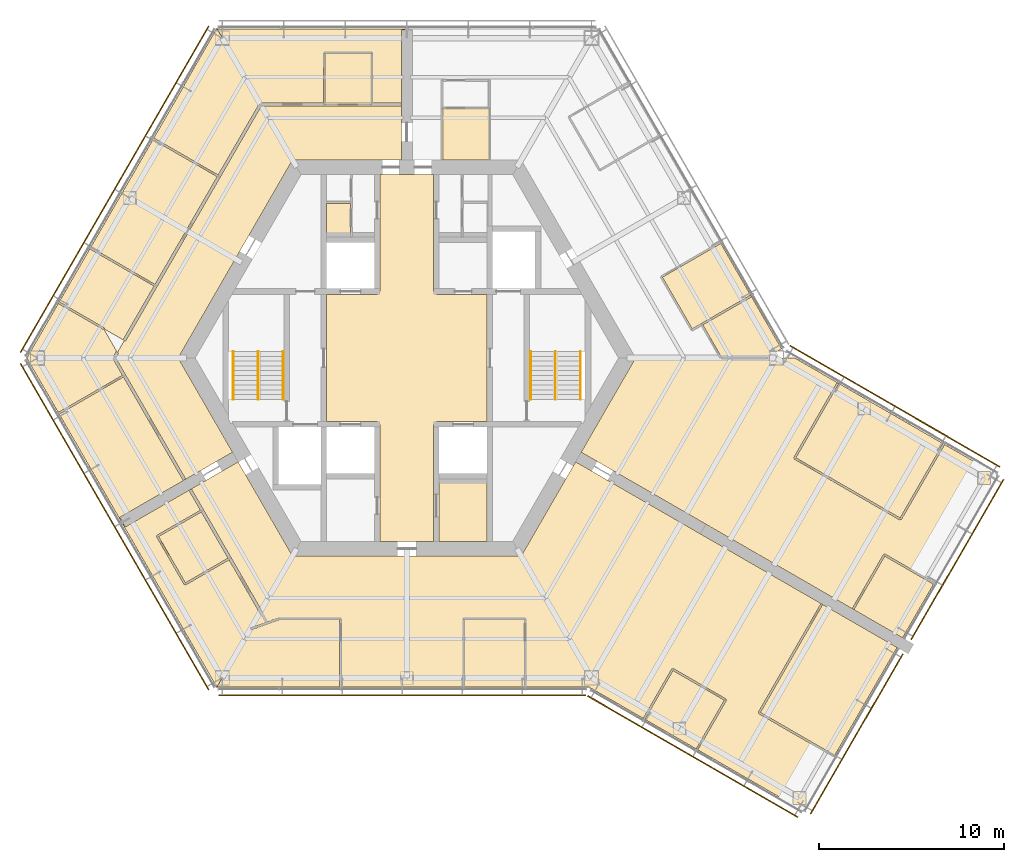
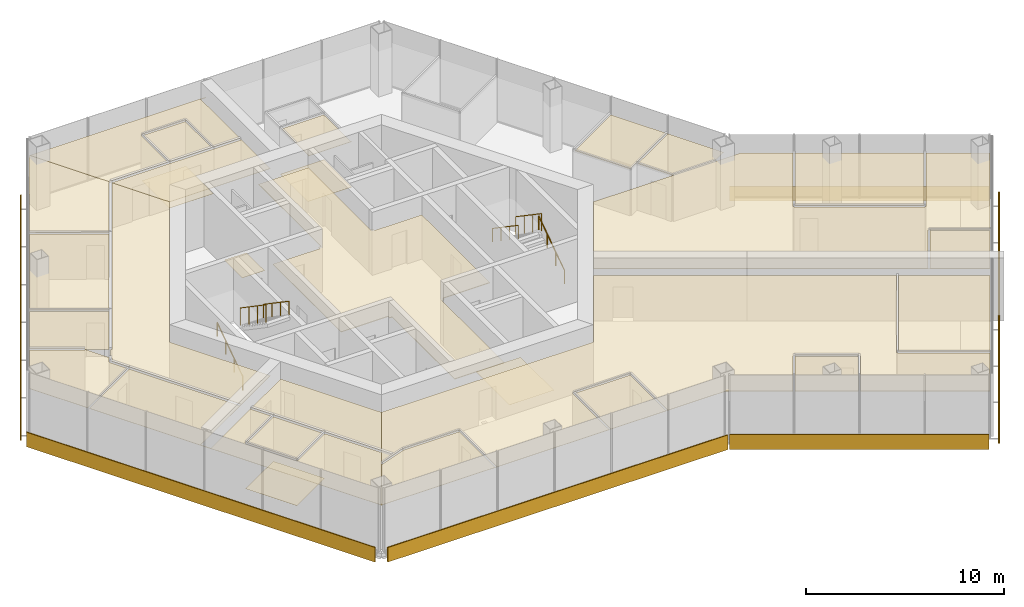
# One storey, part 15 of 16: 29 coverings, 7 shading devices, 6 railings.
"""IFC4 building model written with IfcOpenShell, lengths in metres."""

from ifc_helpers import new_model, si_unit, direction, frame, origin, origin_2d, place, context, subcontext, project, spatial, polyline, rectangle, circle, outline, extrude, material, layer, layer_set, type_object, element, save


model = new_model("IFC4")

# Units and contexts
model_context = context("Model", 3, precision=1e-05, world=origin(), true_north=direction((0.0, 1.0)))
body_context = subcontext(model_context, "Body", "Model", "MODEL_VIEW")
ifc_project = project(units=[si_unit("LENGTHUNIT", "METRE"), si_unit("AREAUNIT", "SQUARE_METRE"), si_unit("VOLUMEUNIT", "CUBIC_METRE"), si_unit("PLANEANGLEUNIT", "RADIAN"), si_unit("MASSUNIT", "GRAM", prefix="KILO")], contexts=[model_context])

# Site, building, storey
site_placement = place(None, origin())
site = spatial("IfcSite", under=ifc_project, at=site_placement, CompositionType="ELEMENT")
building_placement = place(site_placement, origin())
building = spatial("IfcBuilding", under=site, at=building_placement, Name="Kasaneha Research Tower", CompositionType="ELEMENT")
storey_placement = place(building_placement, frame((0.0, 0.0, 247.89990234375)))
storey = spatial("IfcBuildingStorey", under=building, at=storey_placement, Name="L62", CompositionType="ELEMENT", Elevation=247.89990234375)

# Covering
ifc_material_1 = material(Name="Aluminium panel ceiling", Category="aluminium")
ifc_layer_1 = layer(ifc_material_1, 0.0400390625)
ifc_layer_set_1 = layer_set([ifc_layer_1], Name="Lift lobby ceiling 40")
covering_type_1 = type_object("IfcCoveringType", Name="Lift lobby ceiling 40", PredefinedType="CEILING", material=ifc_layer_set_1)
covering_1_placement = place(storey_placement, frame((0.0, 0.0, 2.7001953125)))
element("IfcCovering", 1, at=covering_1_placement, inside=storey, type_object=covering_type_1, Name="Ceiling L62-01", PredefinedType="CEILING", context=body_context, shape_type="SweptSolid", body=[
    extrude(outline(polyline([(1.449951171875, 9.925048828125), (1.449951171875, 3.60009765625), (1.60009765625, 3.60009765625), (1.60009765625, 3.449951171875), (4.35009765625, 3.449951171875), (4.35009765625, -3.449951171875), (1.60009765625, -3.449951171875), (1.60009765625, -3.60009765625), (1.449951171875, -3.60009765625), (1.449951171875, -9.925048828125), (-1.449951171875, -9.925048828125), (-1.449951171875, -3.60009765625), (-1.60009765625, -3.60009765625), (-1.60009765625, -3.449951171875), (-4.35009765625, -3.449951171875), (-4.35009765625, 3.449951171875), (-1.60009765625, 3.449951171875), (-1.60009765625, 3.60009765625), (-1.449951171875, 3.60009765625), (-1.449951171875, 9.925048828125), (1.449951171875, 9.925048828125)])), origin(), (0.0, 0.0, 1.0), 0.039794921875),
])

# Railings
ifc_material_2 = material(Name="Steel", Category="steel")
railing_type_1 = type_object("IfcRailingType", Name="Stair balustrade 1100", PredefinedType="GUARDRAIL", material=ifc_material_2)
for number, where, name in (
    (2, (8.050048828125, 0.35009765625, 2.12744140625), "Stair 1 balustrade L62"),
    (3, (-8.050048828125, 0.35009765625, 2.12744140625), "Stair 2 balustrade L62"),
):
    element("IfcRailing", number, at=place(storey_placement, frame(where)), inside=storey, type_object=railing_type_1, Name=name, PredefinedType="GUARDRAIL", context=body_context, shape_type="SweptSolid", body=[
        extrude(circle(Radius=0.02392578125, at=origin_2d()), frame((0.0, 0.0, 1.076171875), z_axis=(0.0, -0.826240473404, 0.563317565952), x_axis=(1.0, 0.0, 0.0)), (0.0, 0.0, 1.0), 3.14697265625),
        extrude(circle(Radius=0.02099609375, at=origin_2d()), origin(), (0.0, 0.0, 1.0), 1.052001953125),
        extrude(circle(Radius=0.02099609375, at=origin_2d()), frame((0.0, -0.86669921875, 0.5908203125)), (0.0, 0.0, 1.0), 1.052001953125),
        extrude(circle(Radius=0.02099609375, at=origin_2d()), frame((0.0, -1.7333984375, 1.181884765625)), (0.0, 0.0, 1.0), 1.052001953125),
        extrude(circle(Radius=0.02099609375, at=origin_2d()), frame((0.0, -2.60009765625, 1.772705078125)), (0.0, 0.0, 1.0), 1.052001953125),
    ])
ifc_material_3 = material(Name="Steel", Category="steel")
railing_type_2 = type_object("IfcRailingType", Name="Stair handrail 850", PredefinedType="HANDRAIL", material=ifc_material_3)
railing_1_placement = place(storey_placement, frame((9.39990234375, -2.25, 0.177490234375)))
element("IfcRailing", 4, at=railing_1_placement, inside=storey, type_object=railing_type_2, Name="Stair 1 handrail L62", PredefinedType="HANDRAIL", context=body_context, shape_type="SweptSolid", body=[
    extrude(circle(Radius=0.02392578125, at=origin_2d()), frame((0.0, 0.0, 0.826171875), z_axis=(0.0, 0.826240473404, 0.563317565952), x_axis=(-1.0, 0.0, 0.0)), (0.0, 0.0, 1.0), 3.14697265625),
    extrude(circle(Radius=0.02099609375, at=origin_2d()), origin(), (0.0, 0.0, 1.0), 0.802001953125),
    extrude(circle(Radius=0.02099609375, at=origin_2d()), frame((0.0, 0.86669921875, 0.5908203125)), (0.0, 0.0, 1.0), 0.802001953125),
    extrude(circle(Radius=0.02099609375, at=origin_2d()), frame((0.0, 1.7333984375, 1.181884765625)), (0.0, 0.0, 1.0), 0.802001953125),
    extrude(circle(Radius=0.02099609375, at=origin_2d()), frame((0.0, 2.60009765625, 1.772705078125)), (0.0, 0.0, 1.0), 0.802001953125),
])
railing_2_placement = place(storey_placement, frame((6.699951171875, 0.35009765625, 2.12744140625)))
element("IfcRailing", 5, at=railing_2_placement, inside=storey, type_object=railing_type_2, Name="Stair 1 handrail L62", PredefinedType="HANDRAIL", context=body_context, shape_type="SweptSolid", body=[
    extrude(circle(Radius=0.02392578125, at=origin_2d()), frame((0.0, 0.0, 0.826171875), z_axis=(0.0, -0.826240473404, 0.563317565952), x_axis=(1.0, 0.0, 0.0)), (0.0, 0.0, 1.0), 3.14697265625),
    extrude(circle(Radius=0.02099609375, at=origin_2d()), origin(), (0.0, 0.0, 1.0), 0.802001953125),
    extrude(circle(Radius=0.02099609375, at=origin_2d()), frame((0.0, -0.86669921875, 0.5908203125)), (0.0, 0.0, 1.0), 0.802001953125),
    extrude(circle(Radius=0.02099609375, at=origin_2d()), frame((0.0, -1.7333984375, 1.181884765625)), (0.0, 0.0, 1.0), 0.802001953125),
    extrude(circle(Radius=0.02099609375, at=origin_2d()), frame((0.0, -2.60009765625, 1.772705078125)), (0.0, 0.0, 1.0), 0.802001953125),
])
railing_3_placement = place(storey_placement, frame((-9.39990234375, -2.25, 0.177490234375)))
element("IfcRailing", 6, at=railing_3_placement, inside=storey, type_object=railing_type_2, Name="Stair 2 handrail L62", PredefinedType="HANDRAIL", context=body_context, shape_type="SweptSolid", body=[
    extrude(circle(Radius=0.02392578125, at=origin_2d()), frame((0.0, 0.0, 0.826171875), z_axis=(0.0, 0.826240473404, 0.563317565952), x_axis=(-1.0, 0.0, 0.0)), (0.0, 0.0, 1.0), 3.14697265625),
    extrude(circle(Radius=0.02099609375, at=origin_2d()), origin(), (0.0, 0.0, 1.0), 0.802001953125),
    extrude(circle(Radius=0.02099609375, at=origin_2d()), frame((0.0, 0.86669921875, 0.5908203125)), (0.0, 0.0, 1.0), 0.802001953125),
    extrude(circle(Radius=0.02099609375, at=origin_2d()), frame((0.0, 1.7333984375, 1.181884765625)), (0.0, 0.0, 1.0), 0.802001953125),
    extrude(circle(Radius=0.02099609375, at=origin_2d()), frame((0.0, 2.60009765625, 1.772705078125)), (0.0, 0.0, 1.0), 0.802001953125),
])
railing_4_placement = place(storey_placement, frame((-6.699951171875, 0.35009765625, 2.12744140625)))
element("IfcRailing", 7, at=railing_4_placement, inside=storey, type_object=railing_type_2, Name="Stair 2 handrail L62", PredefinedType="HANDRAIL", context=body_context, shape_type="SweptSolid", body=[
    extrude(circle(Radius=0.02392578125, at=origin_2d()), frame((0.0, 0.0, 0.826171875), z_axis=(0.0, -0.826240473404, 0.563317565952), x_axis=(1.0, 0.0, 0.0)), (0.0, 0.0, 1.0), 3.14697265625),
    extrude(circle(Radius=0.02099609375, at=origin_2d()), origin(), (0.0, 0.0, 1.0), 0.802001953125),
    extrude(circle(Radius=0.02099609375, at=origin_2d()), frame((0.0, -0.86669921875, 0.5908203125)), (0.0, 0.0, 1.0), 0.802001953125),
    extrude(circle(Radius=0.02099609375, at=origin_2d()), frame((0.0, -1.7333984375, 1.181884765625)), (0.0, 0.0, 1.0), 0.802001953125),
    extrude(circle(Radius=0.02099609375, at=origin_2d()), frame((0.0, -2.60009765625, 1.772705078125)), (0.0, 0.0, 1.0), 0.802001953125),
])

# Coverings
ifc_material_4 = material(Name="Gypsum ceiling board", Category="gypsum")
ifc_layer_2 = layer(ifc_material_4, 0.02001953125)
ifc_layer_set_2 = layer_set([ifc_layer_2], Name="Suspended ceiling 20")
covering_type_2 = type_object("IfcCoveringType", Name="Suspended ceiling 20", PredefinedType="CEILING", material=ifc_layer_set_2)
covering_2_placement = place(storey_placement, frame((0.0, 0.0, 2.800048828125)))
element("IfcCovering", 8, at=covering_2_placement, inside=storey, type_object=covering_type_2, Name="Ceiling L62-26", PredefinedType="CEILING", context=body_context, shape_type="SweptSolid", body=[
    extrude(outline(polyline([(1.89990234375, 10.72509765625), (1.89990234375, 10.7451171875), (1.949951171875, 10.744873046875), (1.95458984375, 13.469970703125), (4.410400390625, 13.469970703125), (4.4150390625, 10.744873046875), (4.465087890625, 10.7451171875), (4.465087890625, 10.72509765625), (1.89990234375, 10.72509765625)])), origin(), (0.0, 0.0, 1.0), 0.02001953125),
])
covering_3_placement = place(storey_placement, frame((0.0, 0.0, 2.800048828125)))
element("IfcCovering", 9, at=covering_3_placement, inside=storey, type_object=covering_type_2, Name="Ceiling L62-28", PredefinedType="CEILING", context=body_context, shape_type="SweptSolid", body=[
    extrude(outline(polyline([(18.63720703125, 3.360595703125), (18.619873046875, 3.3505859375), (18.5947265625, 3.393798828125), (15.923095703125, 1.851318359375), (15.923095703125, 1.851318359375), (15.451171875, 1.578857421875), (13.835693359375, 4.376953125), (16.99658203125, 6.201904296875), (18.63720703125, 3.360595703125)])), origin(), (0.0, 0.0, 1.0), 0.02001953125),
])
covering_4_placement = place(storey_placement, frame((0.0, 0.0, 2.800048828125)))
element("IfcCovering", 10, at=covering_4_placement, inside=storey, type_object=covering_type_2, Name="Ceiling L62-30", PredefinedType="CEILING", context=body_context, shape_type="SweptSolid", body=[
    extrude(outline(polyline([(16.997802734375, 0.0), (16.986328125, 0.02001953125), (17.029541015625, 0.044921875), (16.024658203125, 1.79443359375), (18.644775390625, 3.30712890625), (18.619873046875, 3.3505859375), (18.63720703125, 3.360595703125), (20.28759765625, 0.501708984375), (19.41845703125, 0.0), (16.997802734375, 0.0)])), origin(), (0.0, 0.0, 1.0), 0.02001953125),
])
covering_5_placement = place(storey_placement, frame((0.0, 0.0, 2.800048828125)))
element("IfcCovering", 11, at=covering_5_placement, inside=storey, type_object=covering_type_2, Name="Ceiling L62-32", PredefinedType="CEILING", context=body_context, shape_type="SweptSolid", body=[
    extrude(outline(polyline([(-0.300048828125, 11.72509765625), (-0.300048828125, 10.72509765625), (-6.192138671875, 10.72509765625), (-7.880859375, 13.64990234375), (-4.469970703125, 13.64990234375), (-4.46044921875, 13.64990234375), (-1.904541015625, 13.64990234375), (-1.89501953125, 13.64990234375), (-0.320068359375, 13.64990234375), (-0.320068359375, 13.72509765625), (-0.300048828125, 13.72509765625), (-0.300048828125, 12.72509765625), (-0.300048828125, 11.72509765625)])), origin(), (0.0, 0.0, 1.0), 0.02001953125),
])
covering_6_placement = place(storey_placement, frame((0.0, 0.0, 2.800048828125)))
element("IfcCovering", 12, at=covering_6_placement, inside=storey, type_object=covering_type_2, Name="Ceiling L62-33", PredefinedType="CEILING", context=body_context, shape_type="SweptSolid", body=[
    extrude(outline(polyline([(-1.9501953125, 16.47509765625), (-1.954345703125, 13.800048828125), (-4.41064453125, 13.800048828125), (-4.4150390625, 16.47509765625), (-1.9501953125, 16.47509765625)])), origin(), (0.0, 0.0, 1.0), 0.02001953125),
])
covering_7_placement = place(storey_placement, frame((0.0, 0.0, 2.800048828125)))
element("IfcCovering", 13, at=covering_7_placement, inside=storey, type_object=covering_type_2, Name="Ceiling L62-34", PredefinedType="CEILING", context=body_context, shape_type="SweptSolid", body=[
    extrude(outline(polyline([(-0.320068359375, 13.7255859375), (-0.320068359375, 13.800048828125), (-1.8544921875, 13.800048828125), (-1.85009765625, 16.52490234375), (-1.899658203125, 16.52490234375), (-1.899658203125, 16.525390625), (-1.89990234375, 16.525390625), (-1.89990234375, 16.574951171875), (-4.465087890625, 16.574951171875), (-4.465087890625, 16.525390625), (-4.465087890625, 16.52490234375), (-4.514892578125, 16.52490234375), (-4.510498046875, 13.800048828125), (-7.90087890625, 13.800048828125), (-7.90087890625, 13.725341796875), (-7.92431640625, 13.725341796875), (-10.28857421875, 17.820556640625), (0.0, 17.820556640625), (0.0, 17.7705078125), (-0.300048828125, 17.7705078125), (-0.300048828125, 17.7705078125), (-0.300048828125, 13.7255859375), (-0.320068359375, 13.7255859375)])), origin(), (0.0, 0.0, 1.0), 0.02001953125),
])
covering_8_placement = place(storey_placement, frame((0.0, 0.0, 2.800048828125)))
element("IfcCovering", 14, at=covering_8_placement, inside=storey, type_object=covering_type_2, Name="Ceiling L62-35", PredefinedType="CEILING", context=body_context, shape_type="SweptSolid", body=[
    extrude(outline(polyline([(-12.38427734375, 0.0), (-9.438232421875, -5.102783203125), (-10.30419921875, -5.602783203125), (-10.30419921875, -5.602783203125), (-11.170166015625, -6.102783203125), (-11.170166015625, -6.102783203125), (-12.0361328125, -6.602783203125), (-12.046142578125, -6.58544921875), (-11.981201171875, -6.5478515625), (-15.239013671875, -0.905517578125), (-15.239013671875, -0.905517578125), (-15.76171875, 0.0), (-15.607177734375, 0.267578125), (-15.672119140625, 0.304931640625), (-15.30419921875, 0.9423828125), (-15.2392578125, 0.90478515625), (-13.5263671875, 3.871337890625), (-13.526611328125, 3.871337890625), (-10.111328125, 9.786865234375), (-10.111328125, 9.786865234375), (-7.880859375, 13.64990234375), (-7.880859375, 13.64990234375), (-6.192138671875, 10.72509765625), (-12.38427734375, 0.0)])), origin(), (0.0, 0.0, 1.0), 0.02001953125),
])
covering_9_placement = place(storey_placement, frame((0.0, 0.0, 2.800048828125)))
element("IfcCovering", 15, at=covering_9_placement, inside=storey, type_object=covering_type_2, Name="Ceiling L62-36", PredefinedType="CEILING", context=body_context, shape_type="SweptSolid", body=[
    extrude(outline(polyline([(-12.027587890625, 14.83251953125), (-10.299072265625, 17.826416015625), (-10.291748046875, 17.83203125), (-10.282470703125, 17.830810546875), (-7.912353515625, 13.725830078125), (-7.917236328125, 13.714111328125), (-7.924560546875, 13.725341796875), (-7.93603515625, 13.705322265625), (-8.000732421875, 13.742431640625), (-10.21630859375, 9.905029296875), (-13.7001953125, 11.911376953125), (-12.023193359375, 14.816162109375), (-12.029052734375, 14.82373046875), (-12.027587890625, 14.83251953125)])), origin(), (0.0, 0.0, 1.0), 0.02001953125),
])
covering_10_placement = place(storey_placement, frame((0.0, 0.0, 2.800048828125)))
element("IfcCovering", 16, at=covering_10_placement, inside=storey, type_object=covering_type_2, Name="Ceiling L62-37", PredefinedType="CEILING", context=body_context, shape_type="SweptSolid", body=[
    extrude(outline(polyline([(-17.12353515625, 5.9423828125), (-17.1484375, 5.899169921875), (-13.68603515625, 3.89501953125), (-15.36669921875, 0.984130859375), (-16.413330078125, 1.58837890625), (-16.38818359375, 1.6318359375), (-18.823486328125, 3.037841796875), (-17.140869140625, 5.952392578125), (-17.12353515625, 5.9423828125)])), origin(), (0.0, 0.0, 1.0), 0.02001953125),
])
covering_11_placement = place(storey_placement, frame((0.0, 0.0, 2.800048828125)))
element("IfcCovering", 17, at=covering_11_placement, inside=storey, type_object=covering_type_2, Name="Ceiling L62-38", PredefinedType="CEILING", context=body_context, shape_type="SweptSolid", body=[
    extrude(outline(polyline([(-20.577880859375, 0.0), (-18.873779296875, 2.951171875), (-16.438232421875, 1.545166015625), (-16.416015625, 1.58349609375), (-15.680908203125, 0.31005859375), (-15.737060546875, 0.342529296875), (-15.913330078125, 0.03759765625), (-15.848388671875, 0.0), (-15.913330078125, -0.03759765625), (-15.393798828125, -0.937255859375), (-18.87353515625, -2.951171875), (-20.577880859375, 0.0)])), origin(), (0.0, 0.0, 1.0), 0.02001953125),
])
covering_12_placement = place(storey_placement, frame((0.0, 0.0, 2.800048828125)))
element("IfcCovering", 18, at=covering_12_placement, inside=storey, type_object=covering_type_2, Name="Ceiling L62-39", PredefinedType="CEILING", context=body_context, shape_type="SweptSolid", body=[
    extrude(outline(polyline([(-17.140380859375, 5.952880859375), (-13.750244140625, 11.82470703125), (-10.26611328125, 9.818359375), (-13.63623046875, 3.981689453125), (-17.098388671875, 5.985595703125), (-17.123291015625, 5.94287109375), (-17.140380859375, 5.952880859375)])), origin(), (0.0, 0.0, 1.0), 0.02001953125),
])
covering_13_placement = place(storey_placement, frame((0.0, 0.0, 2.800048828125)))
element("IfcCovering", 19, at=covering_13_placement, inside=storey, type_object=covering_type_2, Name="Ceiling L62-40", PredefinedType="CEILING", context=body_context, shape_type="SweptSolid", body=[
    extrude(outline(polyline([(-15.539794921875, -8.62548828125), (-15.3896484375, -8.88525390625), (-15.43310546875, -8.91015625), (-18.823486328125, -3.037841796875), (-15.34375, -1.023681640625), (-12.111083984375, -6.622802734375), (-12.046630859375, -6.585693359375), (-12.03662109375, -6.60302734375), (-15.539794921875, -8.62548828125), (-15.539794921875, -8.62548828125), (-15.539794921875, -8.62548828125)])), origin(), (0.0, 0.0, 1.0), 0.02001953125),
])
covering_14_placement = place(storey_placement, frame((0.0, 0.0, 2.800048828125)))
element("IfcCovering", 20, at=covering_14_placement, inside=storey, type_object=covering_type_2, Name="Ceiling L62-41", PredefinedType="CEILING", context=body_context, shape_type="SweptSolid", body=[
    extrude(outline(polyline([(-10.8701171875, -6.622314453125), (-10.004150390625, -6.122314453125), (-10.004150390625, -6.122314453125), (-9.13818359375, -5.622314453125), (-6.192138671875, -10.72509765625), (-7.880859375, -13.64990234375), (-9.5234375, -10.8046875), (-9.5234375, -10.804931640625), (-11.023681640625, -8.206298828125), (-11.023681640625, -8.206298828125), (-11.6611328125, -7.10205078125), (-11.726318359375, -7.1396484375), (-11.736083984375, -7.122314453125), (-10.8701171875, -6.622314453125), (-10.8701171875, -6.622314453125)])), origin(), (0.0, 0.0, 1.0), 0.02001953125),
])
covering_15_placement = place(storey_placement, frame((0.0, 0.0, 2.800048828125)))
element("IfcCovering", 21, at=covering_15_placement, inside=storey, type_object=covering_type_2, Name="Ceiling L62-42", PredefinedType="CEILING", context=body_context, shape_type="SweptSolid", body=[
    extrude(outline(polyline([(-13.44287109375, -9.66650390625), (-11.1240234375, -8.332763671875), (-9.67822265625, -10.836669921875), (-11.992919921875, -12.177734375), (-13.44287109375, -9.66650390625)])), origin(), (0.0, 0.0, 1.0), 0.02001953125),
])
covering_16_placement = place(storey_placement, frame((0.0, 0.0, 2.800048828125)))
element("IfcCovering", 22, at=covering_16_placement, inside=storey, type_object=covering_type_2, Name="Ceiling L62-43", PredefinedType="CEILING", context=body_context, shape_type="SweptSolid", body=[
    extrude(outline(polyline([(-11.7265625, -7.139892578125), (-11.791259765625, -7.177001953125), (-11.174072265625, -8.24609375), (-13.5361328125, -9.604736328125), (-13.51123046875, -9.64794921875), (-13.511474609375, -9.648193359375), (-13.511474609375, -9.648193359375), (-13.554443359375, -9.673095703125), (-12.054443359375, -12.271240234375), (-12.011474609375, -12.246337890625), (-12.011474609375, -12.24658203125), (-12.010986328125, -12.246337890625), (-11.986083984375, -12.28955078125), (-9.628173828125, -10.923095703125), (-8.000732421875, -13.742431640625), (-7.93603515625, -13.705322265625), (-7.92431640625, -13.725341796875), (-8.435302734375, -14.610107421875), (-8.461669921875, -14.61962890625), (-8.45361328125, -14.64208984375), (-10.28857421875, -17.820556640625), (-15.43310546875, -8.91015625), (-15.3896484375, -8.88525390625), (-15.23974609375, -9.14501953125), (-15.23974609375, -9.14501953125), (-15.23974609375, -9.14501953125), (-11.736572265625, -7.12255859375), (-11.7265625, -7.139892578125)])), origin(), (0.0, 0.0, 1.0), 0.02001953125),
])
covering_17_placement = place(storey_placement, frame((0.0, 0.0, 2.800048828125)))
element("IfcCovering", 23, at=covering_17_placement, inside=storey, type_object=covering_type_2, Name="Ceiling L62-44", PredefinedType="CEILING", context=body_context, shape_type="SweptSolid", body=[
    extrude(outline(polyline([(29.03173828125, -4.63720703125), (26.706787109375, -8.6640625), (21.060546875, -5.404296875), (23.37548828125, -1.39453125), (23.332275390625, -1.36962890625), (23.34228515625, -1.352294921875), (29.03173828125, -4.63720703125)])), origin(), (0.0, 0.0, 1.0), 0.02001953125),
])
covering_18_placement = place(storey_placement, frame((0.0, 0.0, 2.800048828125)))
element("IfcCovering", 24, at=covering_18_placement, inside=storey, type_object=covering_type_2, Name="Ceiling L62-45", PredefinedType="CEILING", context=body_context, shape_type="SweptSolid", body=[
    extrude(outline(polyline([(24.15673828125, -13.600341796875), (24.166748046875, -13.5830078125), (24.2099609375, -13.608154296875), (25.875, -10.724365234375), (28.516357421875, -12.249267578125), (26.84130859375, -15.150390625), (24.15673828125, -13.600341796875)])), origin(), (0.0, 0.0, 1.0), 0.02001953125),
])
covering_19_placement = place(storey_placement, frame((0.0, 0.0, 2.800048828125)))
element("IfcCovering", 25, at=covering_19_placement, inside=storey, type_object=covering_type_2, Name="Ceiling L62-46", PredefinedType="CEILING", context=body_context, shape_type="SweptSolid", body=[
    extrude(outline(polyline([(10.30419921875, -5.602783203125), (10.30419921875, -5.602783203125), (9.438232421875, -5.102783203125), (12.38427734375, 0.0), (16.93994140625, 0.0), (16.94287109375, -0.0048828125), (16.951416015625, 0.0), (21.0, 0.0), (23.341796875, -1.35205078125), (23.331787109375, -1.369384765625), (23.288818359375, -1.344482421875), (20.948974609375, -5.397705078125), (20.9921875, -5.422607421875), (20.96728515625, -5.4658203125), (26.699951171875, -8.775634765625), (26.724853515625, -8.73291015625), (26.724853515625, -8.73291015625), (26.72509765625, -8.732421875), (26.768310546875, -8.75732421875), (29.1181640625, -4.68701171875), (31.94140625, -6.31689453125), (28.56640625, -12.16259765625), (25.881591796875, -10.61279296875), (25.85693359375, -10.65576171875), (25.8564453125, -10.655517578125), (25.8564453125, -10.65576171875), (25.8134765625, -10.631103515625), (24.123291015625, -13.55810546875), (24.166259765625, -13.582763671875), (24.15625, -13.60009765625), (11.170166015625, -6.102783203125), (11.170166015625, -6.102783203125), (10.30419921875, -5.602783203125)])), origin(), (0.0, 0.0, 1.0), 0.02001953125),
])
covering_20_placement = place(storey_placement, frame((0.0, 0.0, 2.800048828125)))
element("IfcCovering", 26, at=covering_20_placement, inside=storey, type_object=covering_type_2, Name="Ceiling L62-47", PredefinedType="CEILING", context=body_context, shape_type="SweptSolid", body=[
    extrude(outline(polyline([(-10.2890625, -17.820556640625), (-8.474609375, -14.67724609375), (-8.44482421875, -14.666748046875), (-8.427734375, -14.7138671875), (-6.906982421875, -14.16943359375), (-3.634521484375, -14.17041015625), (-3.634521484375, -17.800537109375), (-3.58447265625, -17.800537109375), (-3.58447265625, -17.820556640625), (-6.916015625, -17.821044921875), (-10.2890625, -17.820556640625)])), origin(), (0.0, 0.0, 1.0), 0.02001953125),
])
covering_21_placement = place(storey_placement, frame((0.0, 0.0, 2.800048828125)))
element("IfcCovering", 27, at=covering_21_placement, inside=storey, type_object=covering_type_2, Name="Ceiling L62-48", PredefinedType="CEILING", context=body_context, shape_type="SweptSolid", body=[
    extrude(outline(polyline([(3.077392578125, -17.820556640625), (3.077392578125, -17.800537109375), (3.12744140625, -17.800537109375), (3.12744140625, -14.17041015625), (6.3583984375, -14.17041015625), (6.3583984375, -17.800537109375), (6.408203125, -17.800537109375), (6.408203125, -17.820556640625), (3.077392578125, -17.820556640625)])), origin(), (0.0, 0.0, 1.0), 0.02001953125),
])
covering_22_placement = place(storey_placement, frame((0.0, 0.0, 2.800048828125)))
element("IfcCovering", 28, at=covering_22_placement, inside=storey, type_object=covering_type_2, Name="Ceiling L62-49", PredefinedType="CEILING", context=body_context, shape_type="SweptSolid", body=[
    extrude(outline(polyline([(23.141357421875, -21.55908203125), (23.1240234375, -21.549072265625), (23.14892578125, -21.505615234375), (19.139404296875, -19.190673828125), (22.50439453125, -13.3623046875), (22.4609375, -13.33740234375), (22.470947265625, -13.320068359375), (24.588623046875, -14.542724609375), (26.541259765625, -15.670166015625), (23.141357421875, -21.55908203125)])), origin(), (0.0, 0.0, 1.0), 0.02001953125),
])
covering_23_placement = place(storey_placement, frame((0.0, 0.0, 2.800048828125)))
element("IfcCovering", 29, at=covering_23_placement, inside=storey, type_object=covering_type_2, Name="Ceiling L62-50", PredefinedType="CEILING", context=body_context, shape_type="SweptSolid", body=[
    extrude(outline(polyline([(12.885498046875, -19.563720703125), (14.410400390625, -16.92236328125), (17.190185546875, -18.52734375), (15.665283203125, -21.168701171875), (12.885498046875, -19.563720703125)])), origin(), (0.0, 0.0, 1.0), 0.02001953125),
])
covering_24_placement = place(storey_placement, frame((0.0, 0.0, 2.800048828125)))
element("IfcCovering", 30, at=covering_24_placement, inside=storey, type_object=covering_type_2, Name="Ceiling L62-51", PredefinedType="CEILING", context=body_context, shape_type="SweptSolid", body=[
    extrude(outline(polyline([(9.13818359375, -5.622314453125), (10.004150390625, -6.122314453125), (10.004150390625, -6.122314453125), (10.8701171875, -6.622314453125), (10.8701171875, -6.622314453125), (17.888427734375, -10.67431640625), (22.470703125, -13.31982421875), (22.460693359375, -13.337158203125), (22.417724609375, -13.3125), (19.027587890625, -19.18408203125), (19.070556640625, -19.208740234375), (19.070556640625, -19.208984375), (19.07080078125, -19.209228515625), (19.0458984375, -19.252197265625), (23.09912109375, -21.59228515625), (23.123779296875, -21.549560546875), (23.14111328125, -21.5595703125), (21.44140625, -24.50341796875), (15.751953125, -21.21875), (17.302001953125, -18.533935546875), (17.2587890625, -18.50927734375), (17.259033203125, -18.5087890625), (17.2587890625, -18.5087890625), (17.28369140625, -18.4658203125), (14.417236328125, -16.810791015625), (14.392333984375, -16.853759765625), (14.392333984375, -16.853759765625), (14.39208984375, -16.85400390625), (14.348876953125, -16.8291015625), (12.798828125, -19.513916015625), (9.865966796875, -17.820556640625), (6.40869140625, -17.820556640625), (6.40869140625, -17.800537109375), (6.458251953125, -17.800537109375), (6.458251953125, -14.12060546875), (6.408447265625, -14.12060546875), (6.408447265625, -14.1201171875), (6.408203125, -14.1201171875), (6.408203125, -14.070556640625), (3.077392578125, -14.070556640625), (3.077392578125, -14.1201171875), (3.076904296875, -14.1201171875), (3.076904296875, -14.12060546875), (3.02734375, -14.12060546875), (3.02734375, -17.800537109375), (3.076904296875, -17.800537109375), (3.076904296875, -17.820556640625), (-3.583984375, -17.820556640625), (-3.583984375, -17.800537109375), (-3.534423828125, -17.800537109375), (-3.534423828125, -14.12060546875), (-3.584228515625, -14.12060546875), (-3.584228515625, -14.1201171875), (-3.58447265625, -14.1201171875), (-3.58447265625, -14.070556640625), (-6.915771484375, -14.069580078125), (-6.915771484375, -14.119384765625), (-6.9326171875, -14.072509765625), (-8.435302734375, -14.610107421875), (-7.901123046875, -13.68505859375), (-7.870849609375, -13.66748046875), (-7.880859375, -13.64990234375), (-6.192138671875, -10.72509765625), (6.192138671875, -10.72509765625), (9.13818359375, -5.622314453125)])), origin(), (0.0, 0.0, 1.0), 0.02001953125),
])

# Shading devices
ifc_material_5 = material(Name="Terracotta", Category="masonry")
ifc_layer_3 = layer(ifc_material_5, 0.06005859375)
ifc_layer_set_3 = layer_set([ifc_layer_3], Name="Terracotta baguette screen")
shading_device_type = type_object("IfcShadingDeviceType", Name="Terracotta baguette screen", PredefinedType="USERDEFINED", material=ifc_layer_set_3)
for number, where, z_axis, x_axis, name in (
    (31, (-15.82275390625, 9.13525390625, -0.449951171875), (0.0, 0.0, 1.0), (-0.499999995722, -0.866025406254, 0.0), "Baguette screen L62 03"),
    (32, (-15.82275390625, -9.13525390625, -0.449951171875), (0.0, 0.0, 1.0), (0.499999995722, -0.866025406254, 0.0), "Baguette screen L62 04"),
):
    element("IfcShadingDevice", number, at=place(storey_placement, frame(where, z_axis=z_axis, x_axis=x_axis)), inside=storey, type_object=shading_device_type, Name=name, ObjectType="TERRACOTTA BAGUETTE SCREEN", PredefinedType="USERDEFINED", context=body_context, shape_type="SweptSolid", body=[
        extrude(rectangle(XDim=20.392822265625, YDim=0.06005859375, at=origin_2d()), origin(), (0.0, 0.0, 1.0), 0.89990234375),
    ])
shading_device_1_placement = place(storey_placement, frame((-0.253662109375, -18.2705078125, -0.449951171875), z_axis=(0.0, 0.0, 1.0), x_axis=(1.0, 0.0, 0.0)))
element("IfcShadingDevice", 33, at=shading_device_1_placement, inside=storey, type_object=shading_device_type, Name="Baguette screen L62 05", ObjectType="TERRACOTTA BAGUETTE SCREEN", PredefinedType="USERDEFINED", context=body_context, shape_type="SweptSolid", body=[
    extrude(rectangle(XDim=19.8857421875, YDim=0.06005859375, at=origin_2d()), origin(), (0.0, 0.0, 1.0), 0.89990234375),
])
shading_device_2_placement = place(storey_placement, frame((15.483642578125, -21.58349609375, -0.449951171875), z_axis=(0.0, 0.0, 1.0), x_axis=(0.866025411464, -0.499999986699, 0.0)))
element("IfcShadingDevice", 34, at=shading_device_2_placement, inside=storey, type_object=shading_device_type, Name="Baguette screen L62 06", ObjectType="TERRACOTTA BAGUETTE SCREEN", PredefinedType="USERDEFINED", context=body_context, shape_type="SweptSolid", body=[
    extrude(rectangle(XDim=13.13916015625, YDim=0.06005859375, at=origin_2d()), origin(), (0.0, 0.0, 1.0), 0.89990234375),
])
for number, where, z_axis, x_axis, name in (
    (35, (24.35595703125, -20.35498046875, -0.449951171875), (0.0, 0.0, 1.0), (0.500000011442, 0.866025397178, 0.0), "Baguette screen L62 07"),
    (36, (29.80615234375, -10.91552734375, -0.449951171875), (0.0, 0.0, 1.0), (0.500000011442, 0.866025397178, 0.0), "Baguette screen L62 08"),
):
    element("IfcShadingDevice", number, at=place(storey_placement, frame(where, z_axis=z_axis, x_axis=x_axis)), inside=storey, type_object=shading_device_type, Name=name, ObjectType="TERRACOTTA BAGUETTE SCREEN", PredefinedType="USERDEFINED", context=body_context, shape_type="SweptSolid", body=[
        extrude(rectangle(XDim=10.0, YDim=0.06005859375, at=origin_2d()), origin(), (0.0, 0.0, 1.0), 0.89990234375),
    ])
shading_device_3_placement = place(storey_placement, frame((26.43359375, -2.617431640625, -0.449951171875), z_axis=(0.0, 0.0, 1.0), x_axis=(-0.866025411464, 0.499999986699, 0.0)))
element("IfcShadingDevice", 37, at=shading_device_3_placement, inside=storey, type_object=shading_device_type, Name="Baguette screen L62 09", ObjectType="TERRACOTTA BAGUETTE SCREEN", PredefinedType="USERDEFINED", context=body_context, shape_type="SweptSolid", body=[
    extrude(rectangle(XDim=13.13916015625, YDim=0.06005859375, at=origin_2d()), origin(), (0.0, 0.0, 1.0), 0.89990234375),
])

# Coverings
ifc_material_6 = material(Name="Vinyl sheet flooring", Category="plastic")
ifc_layer_4 = layer(ifc_material_6, 0.0048828125)
ifc_layer_set_4 = layer_set([ifc_layer_4], Name="Wet room sheet flooring 5")
covering_type_3 = type_object("IfcCoveringType", Name="Wet room sheet flooring 5", PredefinedType="FLOORING", material=ifc_layer_set_4)
covering_25_placement = place(storey_placement, origin())
element("IfcCovering", 38, at=covering_25_placement, inside=storey, type_object=covering_type_3, Name="Floor finish L62-07", PredefinedType="FLOORING", context=body_context, shape_type="SweptSolid", body=[
    extrude(outline(polyline([(-4.35009765625, 6.550048828125), (-4.35009765625, 8.375), (-3.050048828125, 8.375), (-3.050048828125, 6.550048828125), (-4.35009765625, 6.550048828125)])), origin(), (0.0, 0.0, 1.0), 0.005126953125),
])
covering_26_placement = place(storey_placement, origin())
element("IfcCovering", 39, at=covering_26_placement, inside=storey, type_object=covering_type_3, Name="Floor finish L62-13", PredefinedType="FLOORING", context=body_context, shape_type="SweptSolid", body=[
    extrude(outline(polyline([(1.75, -9.925048828125), (1.75, -6.550048828125), (4.35009765625, -6.550048828125), (4.35009765625, -9.925048828125), (1.75, -9.925048828125)])), origin(), (0.0, 0.0, 1.0), 0.005126953125),
])
covering_27_placement = place(storey_placement, origin())
element("IfcCovering", 40, at=covering_27_placement, inside=storey, type_object=covering_type_3, Name="Floor finish L62-26", PredefinedType="FLOORING", context=body_context, shape_type="SweptSolid", body=[
    extrude(outline(polyline([(4.465087890625, 13.52490234375), (4.465087890625, 10.72509765625), (1.89990234375, 10.72509765625), (1.89990234375, 13.52490234375), (4.465087890625, 13.52490234375)])), origin(), (0.0, 0.0, 1.0), 0.005126953125),
])
covering_28_placement = place(storey_placement, origin())
element("IfcCovering", 41, at=covering_28_placement, inside=storey, type_object=covering_type_3, Name="Floor finish L62-33", PredefinedType="FLOORING", context=body_context, shape_type="SweptSolid", body=[
    extrude(outline(polyline([(-4.465087890625, 16.52490234375), (-1.89990234375, 16.52490234375), (-1.89990234375, 13.72509765625), (-4.465087890625, 13.72509765625), (-4.465087890625, 16.52490234375)])), origin(), (0.0, 0.0, 1.0), 0.005126953125),
])
covering_29_placement = place(storey_placement, origin())
element("IfcCovering", 42, at=covering_29_placement, inside=storey, type_object=covering_type_3, Name="Floor finish L62-42", PredefinedType="FLOORING", context=body_context, shape_type="SweptSolid", body=[
    extrude(outline(polyline([(-12.010986328125, -12.246337890625), (-13.510986328125, -9.648193359375), (-11.086181640625, -8.248046875), (-9.586181640625, -10.84619140625), (-12.010986328125, -12.246337890625)])), origin(), (0.0, 0.0, 1.0), 0.005126953125),
])

save(model, "model.ifc")
